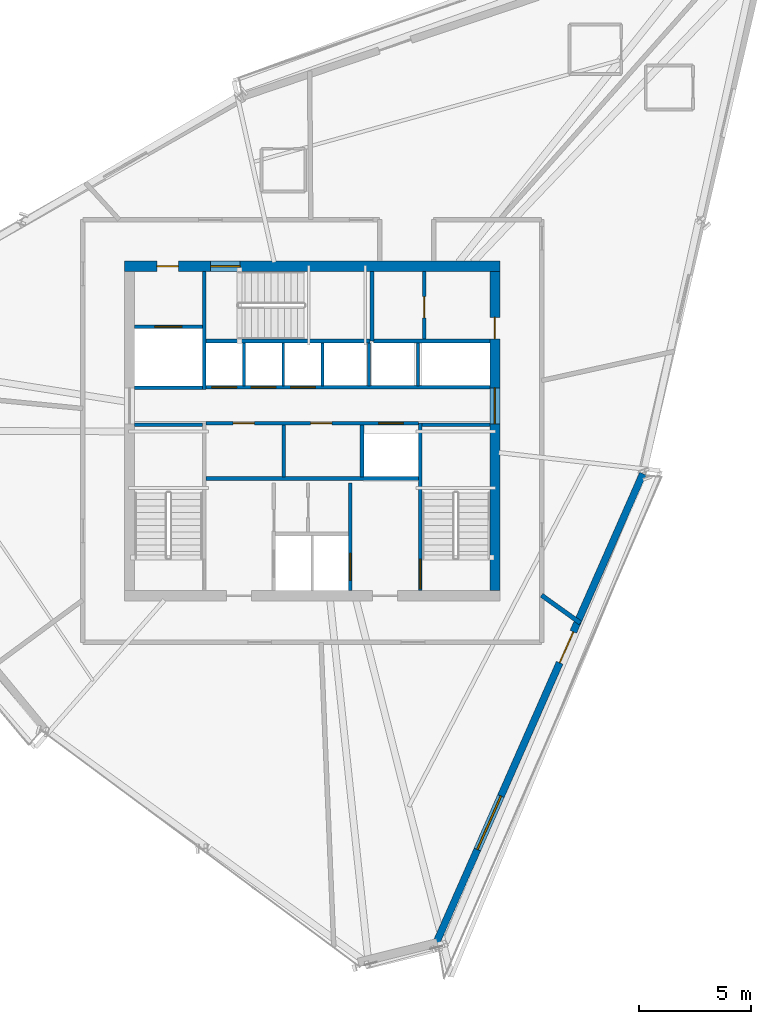
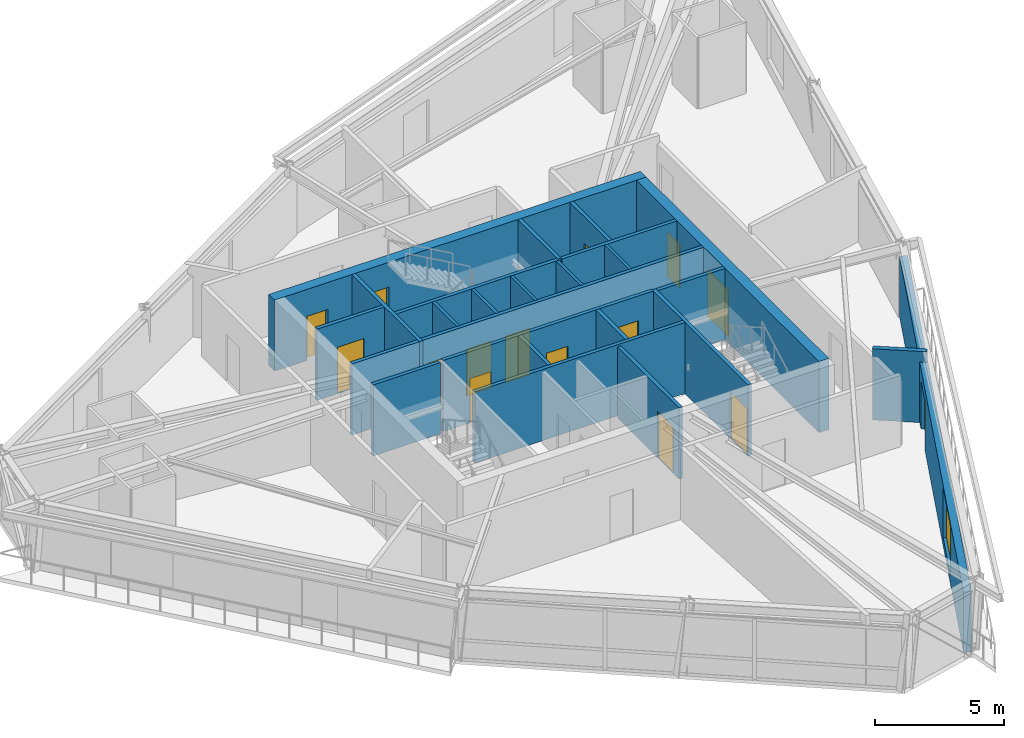
# One storey, part 9 of 14: 25 walls, 15 doors, 1 window, 16 openings.
"""IFC4 building model written with IfcOpenShell, lengths in metres."""

from ifc_helpers import new_model, si_unit, direction, frame, frame_2d, origin, place, context, subcontext, project, spatial, rectangle, extrude, source, transform, mapped, material, layer, layer_set, type_object, type_shapes, element, fill, save


model = new_model("IFC4")

# Units and contexts
model_context = context("Model", 3, precision=1e-05, world=origin(), true_north=direction((0.0, 1.0)))
body_context = subcontext(model_context, "Body", "Model", "MODEL_VIEW")
ifc_project = project(units=[si_unit("LENGTHUNIT", "METRE"), si_unit("AREAUNIT", "SQUARE_METRE"), si_unit("VOLUMEUNIT", "CUBIC_METRE"), si_unit("PLANEANGLEUNIT", "RADIAN"), si_unit("MASSUNIT", "GRAM", prefix="KILO")], contexts=[model_context])

# Site, building, storey
site_placement = place(None, origin())
site = spatial("IfcSite", under=ifc_project, at=site_placement, CompositionType="ELEMENT")
building_placement = place(site_placement, origin())
building = spatial("IfcBuilding", under=site, at=building_placement, Name="Olszyna Solenne Hotel", CompositionType="ELEMENT")
storey_placement = place(building_placement, frame((0.0, 0.0, 230.89990234375)))
storey = spatial("IfcBuildingStorey", under=building, at=storey_placement, Name="L61", CompositionType="ELEMENT", Elevation=230.89990234375)

# Wall, openings, doors
ifc_material_1 = material(Name="Concrete C50/60", Category="concrete")
ifc_layer_1 = layer(ifc_material_1, 0.449951171875, Name="Concrete C50/60")
ifc_layer_set_1 = layer_set([ifc_layer_1], Name="Concrete C50/60")
wall_type_1 = type_object("IfcWallType", Name="WL-CR450", PredefinedType="SHEAR", material=ifc_layer_set_1)
wall_1_placement = place(storey_placement, frame((29.64990234375, 33.925048828125, 0.0), z_axis=(0.0, 0.0, 1.0), x_axis=(1.0, 0.0, 0.0)))
wall_1 = element("IfcWall", 1, at=wall_1_placement, inside=storey, type_object=wall_type_1, Name="Core shear wall WL-CR450 CRW-L61-N", PredefinedType="SHEAR", context=body_context, shape_type="SweptSolid", body=[
    extrude(rectangle(XDim=16.7001953125, YDim=0.449951171875, at=frame_2d((8.35009765625, 0.0))), origin(), (0.0, 0.0, 1.0), 3.380126953125),
])
opening_1_placement = place(wall_1_placement, frame((1.449951171875, 0.0, 0.0)))
opening_1 = element("IfcOpeningElement", 2, at=opening_1_placement, cuts=wall_1, Name="Opening SVD-L61-01", PredefinedType="OPENING", context=body_context, shape_type="SweptSolid", body=[
    extrude(rectangle(XDim=0.949951171875, YDim=2.10009765625, at=frame_2d((0.47509765625, 1.050048828125))), frame((0.0, 0.23486328125, 0.0), z_axis=(0.0, -1.0, 0.0), x_axis=(1.0, 0.0, 0.0)), (0.0, 0.0, 1.0), 0.469970703125),
])
opening_2_placement = place(wall_1_placement, frame((3.830078125, 0.0, 0.0)))
opening_2 = element("IfcOpeningElement", 3, at=opening_2_placement, cuts=wall_1, Name="Opening STD-L61-03", PredefinedType="OPENING", context=body_context, shape_type="SweptSolid", body=[
    extrude(rectangle(XDim=1.320068359375, YDim=2.199951171875, at=frame_2d((0.66015625, 1.10009765625))), frame((0.0, 0.23486328125, 0.0), z_axis=(0.0, -1.0, 0.0), x_axis=(1.0, 0.0, 0.0)), (0.0, 0.0, 1.0), 0.469970703125),
])
ifc_material_2 = material(Name="Steel S355J2", Category="steel")
door_type_1 = type_object("IfcDoorType", Name="DR-ST1", OperationType="NOTDEFINED", PredefinedType="DOOR", material=ifc_material_2)
shared_shape_1 = source(origin(), body_context, "Body", "SweptSolid", [
    extrude(rectangle(XDim=1.320068359375, YDim=2.199951171875, at=frame_2d((0.66015625, 1.10009765625))), frame((0.0, 0.02490234375, 0.0), z_axis=(0.0, -1.0, 0.0), x_axis=(1.0, 0.0, 0.0)), (0.0, 0.0, 1.0), 0.050048828125),
])
type_shapes(door_type_1, [shared_shape_1])
door_1_placement = place(opening_2_placement, origin())
door_1 = element("IfcDoor", 4, at=door_1_placement, inside=storey, type_object=door_type_1, Name="Pressurised exit stair ST3 fire door STD-L61-03", OperationType="SINGLE_SWING_RIGHT", OverallHeight=2.199951171875, OverallWidth=1.320068359375, PredefinedType="DOOR", context=body_context, shape_type="MappedRepresentation", body=[
    mapped(shared_shape_1, transform((0.0, 0.0, 0.0), x_axis=(1.0, 0.0, 0.0), y_axis=(0.0, 1.0, 0.0), z_axis=(0.0, 0.0, 1.0), scale=1.0)),
])
fill(opening_2, door_1)
door_type_2 = type_object("IfcDoorType", Name="DR-SV1", OperationType="NOTDEFINED", PredefinedType="DOOR", material=ifc_material_2)
shared_shape_2 = source(origin(), body_context, "Body", "SweptSolid", [
    extrude(rectangle(XDim=0.949951171875, YDim=2.10009765625, at=frame_2d((0.47509765625, 1.050048828125))), frame((0.0, 0.02490234375, 0.0), z_axis=(0.0, -1.0, 0.0), x_axis=(1.0, 0.0, 0.0)), (0.0, 0.0, 1.0), 0.050048828125),
])
type_shapes(door_type_2, [shared_shape_2])
door_2_placement = place(opening_1_placement, origin())
door_2 = element("IfcDoor", 5, at=door_2_placement, inside=storey, type_object=door_type_2, Name="Service lift lobby fire door SVD-L61-01", OperationType="SINGLE_SWING_LEFT", OverallHeight=2.10009765625, OverallWidth=0.949951171875, PredefinedType="DOOR", context=body_context, shape_type="MappedRepresentation", body=[
    mapped(shared_shape_2, transform((0.0, 0.0, 0.0), x_axis=(1.0, 0.0, 0.0), y_axis=(0.0, 1.0, 0.0), z_axis=(0.0, 0.0, 1.0), scale=1.0)),
])
fill(opening_1, door_2)

wall_2_placement = place(storey_placement, frame((46.125, 33.699951171875, 0.0), z_axis=(0.0, 0.0, 1.0), x_axis=(0.0, -1.0, 0.0)))
wall_2 = element("IfcWall", 6, at=wall_2_placement, inside=storey, type_object=wall_type_1, Name="Core shear wall WL-CR450 CRW-L61-E", PredefinedType="SHEAR", context=body_context, shape_type="SweptSolid", body=[
    extrude(rectangle(XDim=14.199951171875, YDim=0.449951171875, at=frame_2d((7.10009765625, 0.0))), origin(), (0.0, 0.0, 1.0), 3.380126953125),
])
opening_3_placement = place(wall_2_placement, frame((5.179931640625, 0.0, 0.0)))
opening_3 = element("IfcOpeningElement", 7, at=opening_3_placement, cuts=wall_2, Name="Opening LHD-L61-E", PredefinedType="OPENING", context=body_context, shape_type="SweptSolid", body=[
    extrude(rectangle(XDim=1.60009765625, YDim=2.199951171875, at=frame_2d((0.800048828125, 1.10009765625))), frame((0.0, 0.23486328125, 0.0), z_axis=(0.0, -1.0, 0.0), x_axis=(1.0, 0.0, 0.0)), (0.0, 0.0, 1.0), 0.469970703125),
])
opening_4_placement = place(wall_2_placement, frame((2.050048828125, 0.0, 0.0)))
opening_4 = element("IfcOpeningElement", 8, at=opening_4_placement, cuts=wall_2, Name="Opening SVD-L61-BE", PredefinedType="OPENING", context=body_context, shape_type="SweptSolid", body=[
    extrude(rectangle(XDim=0.949951171875, YDim=2.10009765625, at=frame_2d((0.47509765625, 1.050048828125))), frame((0.0, 0.23486328125, 0.0), z_axis=(0.0, -1.0, 0.0), x_axis=(1.0, 0.0, 0.0)), (0.0, 0.0, 1.0), 0.469970703125),
])
door_3_placement = place(opening_4_placement, origin())
door_3 = element("IfcDoor", 9, at=door_3_placement, inside=storey, type_object=door_type_2, Name="Housekeeping core fire door SVD-L61-BE", OperationType="SINGLE_SWING_RIGHT", OverallHeight=2.10009765625, OverallWidth=0.949951171875, PredefinedType="DOOR", context=body_context, shape_type="MappedRepresentation", body=[
    mapped(shared_shape_2, transform((0.0, 0.0, 0.0), x_axis=(1.0, 0.0, 0.0), y_axis=(0.0, 1.0, 0.0), z_axis=(0.0, 0.0, 1.0), scale=1.0)),
])
fill(opening_4, door_3)
ifc_material_3 = material(Name="Timber hardwood", Category="wood")
door_type_3 = type_object("IfcDoorType", Name="DR-CR1", OperationType="DOUBLE_DOOR_SINGLE_SWING", PredefinedType="DOOR", material=ifc_material_3)
shared_shape_3 = source(origin(), body_context, "Body", "SweptSolid", [
    extrude(rectangle(XDim=1.60009765625, YDim=2.199951171875, at=frame_2d((0.800048828125, 1.10009765625))), frame((0.0, 0.02490234375, 0.0), z_axis=(0.0, -1.0, 0.0), x_axis=(1.0, 0.0, 0.0)), (0.0, 0.0, 1.0), 0.050048828125),
])
type_shapes(door_type_3, [shared_shape_3])
door_4_placement = place(opening_3_placement, origin())
door_4 = element("IfcDoor", 10, at=door_4_placement, inside=storey, type_object=door_type_3, Name="Passenger lift lobby East fire door LHD-L61-E", OperationType="DOUBLE_DOOR_SINGLE_SWING", OverallHeight=2.199951171875, OverallWidth=1.60009765625, PredefinedType="DOOR", context=body_context, shape_type="MappedRepresentation", body=[
    mapped(shared_shape_3, transform((0.0, 0.0, 0.0), x_axis=(1.0, 0.0, 0.0), y_axis=(0.0, 1.0, 0.0), z_axis=(0.0, 0.0, 1.0), scale=1.0)),
])
fill(opening_3, door_4)

# Wall, openings, door, window
ifc_material_4 = material(Name="Precast concrete C45/55", Category="concrete")
ifc_layer_2 = layer(ifc_material_4, 0.320068359375, Name="Precast concrete C45/55")
ifc_layer_set_2 = layer_set([ifc_layer_2], Name="Precast concrete C45/55")
wall_type_2 = type_object("IfcWallType", Name="WL-EX320", PredefinedType="SOLIDWALL", material=ifc_layer_set_2)
wall_3_placement = place(storey_placement, frame((52.70849609375, 24.701904296875, 0.0), z_axis=(0.0, 0.0, 1.0), x_axis=(-0.403169735339, -0.915125217938, 0.0)))
wall_3 = element("IfcWall", 11, at=wall_3_placement, inside=storey, type_object=wall_type_2, Name="Exterior terracotta-precast frame wall WL-EX320 EW-L61-01", PredefinedType="SOLIDWALL", context=body_context, shape_type="SweptSolid", body=[
    extrude(rectangle(XDim=22.922607421875, YDim=0.320068359375, at=frame_2d((11.46142578125, 0.0))), origin(), (0.0, 0.0, 1.0), 2.8720703125),
])
opening_5_placement = place(wall_3_placement, frame((7.68505859375, 0.0, 0.0)))
opening_5 = element("IfcOpeningElement", 12, at=opening_5_placement, cuts=wall_3, Name="Opening LDG-L61-3", PredefinedType="OPENING", context=body_context, shape_type="SweptSolid", body=[
    extrude(rectangle(XDim=1.5, YDim=2.300048828125, at=frame_2d((0.75, 1.14990234375))), frame((0.0, 0.169921875, 0.0), z_axis=(0.0, -1.0, 0.0), x_axis=(1.0, 0.0, 0.0)), (0.0, 0.0, 1.0), 0.340087890625),
])
opening_6_placement = place(wall_3_placement, frame((15.6630859375, 0.0, 0.402099609375)))
opening_6 = element("IfcOpeningElement", 13, at=opening_6_placement, cuts=wall_3, Name="Opening WN-L61-395", PredefinedType="OPENING", context=body_context, shape_type="SweptSolid", body=[
    extrude(rectangle(XDim=2.60009765625, YDim=2.35009765625, at=frame_2d((1.300048828125, 1.175048828125))), frame((0.0, 0.169921875, 0.0), z_axis=(0.0, -1.0, 0.0), x_axis=(1.0, 0.0, 0.0)), (0.0, 0.0, 1.0), 0.340087890625),
])
ifc_material_5 = material(Name="Anodised bronze aluminium", Category="aluminium")
door_type_4 = type_object("IfcDoorType", Name="DR-LG2", OperationType="DOUBLE_DOOR_SINGLE_SWING", PredefinedType="DOOR", material=ifc_material_5)
shared_shape_4 = source(origin(), body_context, "Body", "SweptSolid", [
    extrude(rectangle(XDim=1.5, YDim=2.300048828125, at=frame_2d((0.75, 1.14990234375))), frame((0.0, 0.02490234375, 0.0), z_axis=(0.0, -1.0, 0.0), x_axis=(1.0, 0.0, 0.0)), (0.0, 0.0, 1.0), 0.050048828125),
])
type_shapes(door_type_4, [shared_shape_4])
door_5_placement = place(opening_5_placement, origin())
door_5 = element("IfcDoor", 14, at=door_5_placement, inside=storey, type_object=door_type_4, Name="Exterior loggia balcony door DR-LG2 LDG-L61-3", OperationType="DOUBLE_DOOR_SINGLE_SWING", OverallHeight=2.300048828125, OverallWidth=1.5, PredefinedType="DOOR", context=body_context, shape_type="MappedRepresentation", body=[
    mapped(shared_shape_4, transform((0.0, 0.0, 0.0), x_axis=(1.0, 0.0, 0.0), y_axis=(0.0, 1.0, 0.0), z_axis=(0.0, 0.0, 1.0), scale=1.0)),
])
fill(opening_5, door_5)
ifc_material_6 = material(Name="Low-E triple glazing", Category="glass")
window_type = type_object("IfcWindowType", Name="WN-ST1", PartitioningType="SINGLE_PANEL", PredefinedType="WINDOW", material=ifc_material_6)
shared_shape_5 = source(origin(), body_context, "Body", "SweptSolid", [
    extrude(rectangle(XDim=2.60009765625, YDim=2.35009765625, at=frame_2d((1.300048828125, 1.175048828125))), frame((0.0, 0.030029296875, 0.0), z_axis=(0.0, -1.0, 0.0), x_axis=(1.0, 0.0, 0.0)), (0.0, 0.0, 1.0), 0.06005859375),
])
type_shapes(window_type, [shared_shape_5])
window_placement = place(opening_6_placement, origin())
window = element("IfcWindow", 15, at=window_placement, inside=storey, type_object=window_type, Name="Loggia room window WN-ST1 WN-L61-395", OverallHeight=2.35009765625, OverallWidth=2.60009765625, PartitioningType="SINGLE_PANEL", PredefinedType="WINDOW", context=body_context, shape_type="MappedRepresentation", body=[
    mapped(shared_shape_5, transform((0.0, 0.0, 0.0), x_axis=(1.0, 0.0, 0.0), y_axis=(0.0, 1.0, 0.0), z_axis=(0.0, 0.0, 1.0), scale=1.0)),
])
fill(opening_6, window)

# Walls
ifc_material_7 = material(Name="Acoustic gypsum partition", Category="gypsum")
ifc_layer_3 = layer(ifc_material_7, 0.125, Name="Acoustic gypsum partition")
ifc_layer_set_3 = layer_set([ifc_layer_3], Name="Acoustic gypsum partition")
wall_type_3 = type_object("IfcWallType", Name="WL-PT125", PredefinedType="PARTITIONING", material=ifc_layer_set_3)
for number, where, z_axis, x_axis, name in (
    (16, (34.965087890625, 28.60009765625, 0.0), (0.0, 0.0, 1.0), (0.0, 1.0, 0.0), "Core shaft compartment wall CW-L61-DIVN349"),
    (17, (36.715087890625, 28.60009765625, 0.0), (0.0, 0.0, 1.0), (0.0, 1.0, 0.0), "Core shaft compartment wall CW-L61-DIVN367"),
    (18, (38.465087890625, 28.60009765625, 0.0), (0.0, 0.0, 1.0), (0.0, 1.0, 0.0), "Core shaft compartment wall CW-L61-DIVN384"),
    (19, (40.52490234375, 28.60009765625, 0.0), (0.0, 0.0, 1.0), (0.0, 1.0, 0.0), "Core shaft compartment wall CW-L61-DIVEX405"),
    (20, (42.699951171875, 28.60009765625, 0.0), (0.0, 0.0, 1.0), (0.0, 1.0, 0.0), "Core shaft compartment wall CW-L61-DIVEX427"),
):
    element("IfcWall", number, at=place(storey_placement, frame(where, z_axis=z_axis, x_axis=x_axis)), inside=storey, type_object=wall_type_3, Name=name, PredefinedType="PARTITIONING", context=body_context, shape_type="SweptSolid", body=[
        extrude(rectangle(XDim=1.919921875, YDim=0.125, at=frame_2d((0.9599609375, 0.0))), origin(), (0.0, 0.0, 1.0), 3.380126953125),
    ])
ifc_layer_4 = layer(ifc_material_7, 0.159912109375, Name="Acoustic gypsum partition")
ifc_layer_set_4 = layer_set([ifc_layer_4], Name="Acoustic gypsum partition")
wall_type_4 = type_object("IfcWallType", Name="WL-PT160", PredefinedType="PARTITIONING", material=ifc_layer_set_4)
wall_4_placement = place(storey_placement, frame((30.10009765625, 26.8798828125, 0.0), z_axis=(0.0, 0.0, 1.0), x_axis=(1.0, 0.0, 0.0)))
element("IfcWall", 21, at=wall_4_placement, inside=storey, type_object=wall_type_4, Name="Core shaft compartment wall CW-L61-ST1N", PredefinedType="PARTITIONING", context=body_context, shape_type="SweptSolid", body=[
    extrude(rectangle(XDim=3.02001953125, YDim=0.159912109375, at=frame_2d((1.510009765625, 0.0))), origin(), (0.0, 0.0, 1.0), 3.380126953125),
])

# Wall, opening, door
wall_5_placement = place(storey_placement, frame((42.800048828125, 26.9599609375, 0.0), z_axis=(0.0, 0.0, 1.0), x_axis=(0.0, -1.0, 0.0)))
wall_5 = element("IfcWall", 22, at=wall_5_placement, inside=storey, type_object=wall_type_4, Name="Core shaft compartment wall CW-L61-ST2W", PredefinedType="PARTITIONING", context=body_context, shape_type="SweptSolid", body=[
    extrude(rectangle(XDim=7.4599609375, YDim=0.159912109375, at=frame_2d((3.72998046875, 0.0))), origin(), (0.0, 0.0, 1.0), 3.380126953125),
])
opening_7_placement = place(wall_5_placement, frame((6.06005859375, 0.0, 0.0)))
opening_7 = element("IfcOpeningElement", 23, at=opening_7_placement, cuts=wall_5, Name="Opening STD-L61-02", PredefinedType="OPENING", context=body_context, shape_type="SweptSolid", body=[
    extrude(rectangle(XDim=1.320068359375, YDim=2.199951171875, at=frame_2d((0.66015625, 1.10009765625))), frame((0.0, 0.08984375, 0.0), z_axis=(0.0, -1.0, 0.0), x_axis=(1.0, 0.0, 0.0)), (0.0, 0.0, 1.0), 0.179931640625),
])
door_6_placement = place(opening_7_placement, origin())
door_6 = element("IfcDoor", 24, at=door_6_placement, inside=storey, type_object=door_type_1, Name="Pressurised exit stair ST2 fire door STD-L61-02", OperationType="SINGLE_SWING_RIGHT", OverallHeight=2.199951171875, OverallWidth=1.320068359375, PredefinedType="DOOR", context=body_context, shape_type="MappedRepresentation", body=[
    mapped(shared_shape_1, transform((0.0, 0.0, 0.0), x_axis=(1.0, 0.0, 0.0), y_axis=(0.0, 1.0, 0.0), z_axis=(0.0, 0.0, 1.0), scale=1.0)),
])
fill(opening_7, door_6)

# Walls
wall_6_placement = place(storey_placement, frame((42.8798828125, 26.8798828125, 0.0), z_axis=(0.0, 0.0, 1.0), x_axis=(1.0, 0.0, 0.0)))
element("IfcWall", 25, at=wall_6_placement, inside=storey, type_object=wall_type_4, Name="Core shaft compartment wall CW-L61-ST2N", PredefinedType="PARTITIONING", context=body_context, shape_type="SweptSolid", body=[
    extrude(rectangle(XDim=3.02001953125, YDim=0.159912109375, at=frame_2d((1.510009765625, 0.0))), origin(), (0.0, 0.0, 1.0), 3.380126953125),
])
wall_7_placement = place(storey_placement, frame((33.280029296875, 30.60009765625, 0.0), z_axis=(0.0, 0.0, 1.0), x_axis=(1.0, 0.0, 0.0)))
element("IfcWall", 26, at=wall_7_placement, inside=storey, type_object=wall_type_4, Name="Core shaft compartment wall CW-L61-ST3S", PredefinedType="PARTITIONING", context=body_context, shape_type="SweptSolid", body=[
    extrude(rectangle(XDim=7.300048828125, YDim=0.159912109375, at=frame_2d((3.64990234375, 0.0))), origin(), (0.0, 0.0, 1.0), 3.380126953125),
])
wall_8_placement = place(storey_placement, frame((40.659912109375, 30.60009765625, 0.0), z_axis=(0.0, 0.0, 1.0), x_axis=(0.0, 1.0, 0.0)))
element("IfcWall", 27, at=wall_8_placement, inside=storey, type_object=wall_type_4, Name="Core shaft compartment wall CW-L61-ST3E", PredefinedType="PARTITIONING", context=body_context, shape_type="SweptSolid", body=[
    extrude(rectangle(XDim=3.099853515625, YDim=0.159912109375, at=frame_2d((1.5498046875, 0.0))), origin(), (0.0, 0.0, 1.0), 3.380126953125),
])

# Wall, opening, door
wall_9_placement = place(storey_placement, frame((39.699951171875, 24.280029296875, 0.0), z_axis=(0.0, 0.0, 1.0), x_axis=(0.0, -1.0, 0.0)))
wall_9 = element("IfcWall", 28, at=wall_9_placement, inside=storey, type_object=wall_type_4, Name="Core shaft compartment wall CW-L61-FF2E", PredefinedType="PARTITIONING", context=body_context, shape_type="SweptSolid", body=[
    extrude(rectangle(XDim=4.780029296875, YDim=0.159912109375, at=frame_2d((2.39013671875, 0.0))), origin(), (0.0, 0.0, 1.0), 3.380126953125),
])
opening_8_placement = place(wall_9_placement, frame((3.1201171875, 0.0, 0.0)))
opening_8 = element("IfcOpeningElement", 29, at=opening_8_placement, cuts=wall_9, Name="Opening LD-L61-FF2", PredefinedType="OPENING", context=body_context, shape_type="SweptSolid", body=[
    extrude(rectangle(XDim=1.199951171875, YDim=2.199951171875, at=frame_2d((0.60009765625, 1.10009765625))), frame((0.0, 0.08984375, 0.0), z_axis=(0.0, -1.0, 0.0), x_axis=(1.0, 0.0, 0.0)), (0.0, 0.0, 1.0), 0.179931640625),
])
door_type_5 = type_object("IfcDoorType", Name="LD-FF1", OperationType="DOUBLE_DOOR_SLIDING", PredefinedType="DOOR", material=ifc_material_2)
shared_shape_6 = source(origin(), body_context, "Body", "SweptSolid", [
    extrude(rectangle(XDim=1.199951171875, YDim=2.199951171875, at=frame_2d((0.60009765625, 1.10009765625))), frame((0.0, 0.02490234375, 0.0), z_axis=(0.0, -1.0, 0.0), x_axis=(1.0, 0.0, 0.0)), (0.0, 0.0, 1.0), 0.050048828125),
])
type_shapes(door_type_5, [shared_shape_6])
door_7_placement = place(opening_8_placement, origin())
door_7 = element("IfcDoor", 30, at=door_7_placement, inside=storey, type_object=door_type_5, Name="Firefighters lift FF2 sliding landing door LD-L61-FF2", OperationType="DOUBLE_DOOR_SLIDING", OverallHeight=2.199951171875, OverallWidth=1.199951171875, PredefinedType="DOOR", context=body_context, shape_type="MappedRepresentation", body=[
    mapped(shared_shape_6, transform((0.0, 0.0, 0.0), x_axis=(1.0, 0.0, 0.0), y_axis=(0.0, 1.0, 0.0), z_axis=(0.0, 0.0, 1.0), scale=1.0)),
])
fill(opening_8, door_7)

# Walls
wall_10_placement = place(storey_placement, frame((33.280029296875, 24.489990234375, 0.0), z_axis=(0.0, 0.0, 1.0), x_axis=(1.0, 0.0, 0.0)))
element("IfcWall", 31, at=wall_10_placement, inside=storey, type_object=wall_type_4, Name="Core shaft compartment wall CW-L61-FFBN", PredefinedType="PARTITIONING", context=body_context, shape_type="SweptSolid", body=[
    extrude(rectangle(XDim=9.43994140625, YDim=0.159912109375, at=frame_2d((4.719970703125, 0.0))), origin(), (0.0, 0.0, 1.0), 3.380126953125),
])
wall_11_placement = place(storey_placement, frame((30.10009765625, 28.52001953125, 0.0), z_axis=(0.0, 0.0, 1.0), x_axis=(1.0, 0.0, 0.0)))
element("IfcWall", 32, at=wall_11_placement, inside=storey, type_object=wall_type_4, Name="Core shaft compartment wall CW-L61-SV1S", PredefinedType="PARTITIONING", context=body_context, shape_type="SweptSolid", body=[
    extrude(rectangle(XDim=3.02001953125, YDim=0.159912109375, at=frame_2d((1.510009765625, 0.0))), origin(), (0.0, 0.0, 1.0), 3.380126953125),
])
wall_12_placement = place(storey_placement, frame((33.199951171875, 28.43994140625, 0.0), z_axis=(0.0, 0.0, 1.0), x_axis=(0.0, 1.0, 0.0)))
element("IfcWall", 33, at=wall_12_placement, inside=storey, type_object=wall_type_4, Name="Core shaft compartment wall CW-L61-SV1E", PredefinedType="PARTITIONING", context=body_context, shape_type="SweptSolid", body=[
    extrude(rectangle(XDim=5.260009765625, YDim=0.159912109375, at=frame_2d((2.6298828125, 0.0))), origin(), (0.0, 0.0, 1.0), 3.380126953125),
])

# Wall, opening, door
wall_13_placement = place(storey_placement, frame((30.10009765625, 31.239990234375, 0.0), z_axis=(0.0, 0.0, 1.0), x_axis=(1.0, 0.0, 0.0)))
wall_13 = element("IfcWall", 34, at=wall_13_placement, inside=storey, type_object=wall_type_4, Name="Core shaft compartment wall CW-L61-SV1N", PredefinedType="PARTITIONING", context=body_context, shape_type="SweptSolid", body=[
    extrude(rectangle(XDim=3.02001953125, YDim=0.159912109375, at=frame_2d((1.510009765625, 0.0))), origin(), (0.0, 0.0, 1.0), 3.380126953125),
])
opening_9_placement = place(wall_13_placement, frame((0.909912109375, 0.0, 0.0)))
opening_9 = element("IfcOpeningElement", 35, at=opening_9_placement, cuts=wall_13, Name="Opening LD-L61-SV1", PredefinedType="OPENING", context=body_context, shape_type="SweptSolid", body=[
    extrude(rectangle(XDim=1.199951171875, YDim=2.199951171875, at=frame_2d((0.60009765625, 1.10009765625))), frame((0.0, 0.08984375, 0.0), z_axis=(0.0, -1.0, 0.0), x_axis=(1.0, 0.0, 0.0)), (0.0, 0.0, 1.0), 0.179931640625),
])
door_8_placement = place(opening_9_placement, origin())
door_8 = element("IfcDoor", 36, at=door_8_placement, inside=storey, type_object=door_type_5, Name="Service lift SV1 sliding landing door LD-L61-SV1", OperationType="DOUBLE_DOOR_SLIDING", OverallHeight=2.199951171875, OverallWidth=1.199951171875, PredefinedType="DOOR", context=body_context, shape_type="MappedRepresentation", body=[
    mapped(shared_shape_6, transform((0.0, 0.0, 0.0), x_axis=(1.0, 0.0, 0.0), y_axis=(0.0, 1.0, 0.0), z_axis=(0.0, 0.0, 1.0), scale=1.0)),
])
fill(opening_9, door_8)

# Wall, openings, doors
wall_14_placement = place(storey_placement, frame((33.280029296875, 26.949951171875, 0.0), z_axis=(0.0, 0.0, 1.0), x_axis=(1.0, 0.0, 0.0)))
wall_14 = element("IfcWall", 37, at=wall_14_placement, inside=storey, type_object=wall_type_4, Name="Core shaft compartment wall CW-L61-LRS", PredefinedType="PARTITIONING", context=body_context, shape_type="SweptSolid", body=[
    extrude(rectangle(XDim=9.43994140625, YDim=0.159912109375, at=frame_2d((4.719970703125, 0.0))), origin(), (0.0, 0.0, 1.0), 3.380126953125),
])
opening_10_placement = place(wall_14_placement, frame((1.199951171875, 0.0, 0.0)))
opening_10 = element("IfcOpeningElement", 38, at=opening_10_placement, cuts=wall_14, Name="Opening SVD-L61-L71", PredefinedType="OPENING", context=body_context, shape_type="SweptSolid", body=[
    extrude(rectangle(XDim=0.949951171875, YDim=2.10009765625, at=frame_2d((0.47509765625, 1.050048828125))), frame((0.0, 0.08984375, 0.0), z_axis=(0.0, -1.0, 0.0), x_axis=(1.0, 0.0, 0.0)), (0.0, 0.0, 1.0), 0.179931640625),
])
opening_11_placement = place(wall_14_placement, frame((4.64990234375, 0.0, 0.0)))
opening_11 = element("IfcOpeningElement", 39, at=opening_11_placement, cuts=wall_14, Name="Opening SVD-L61-L72", PredefinedType="OPENING", context=body_context, shape_type="SweptSolid", body=[
    extrude(rectangle(XDim=0.949951171875, YDim=2.10009765625, at=frame_2d((0.47509765625, 1.050048828125))), frame((0.0, 0.08984375, 0.0), z_axis=(0.0, -1.0, 0.0), x_axis=(1.0, 0.0, 0.0)), (0.0, 0.0, 1.0), 0.179931640625),
])
opening_12_placement = place(wall_14_placement, frame((7.669921875, 0.0, 0.0)))
opening_12 = element("IfcOpeningElement", 40, at=opening_12_placement, cuts=wall_14, Name="Opening LD-L61-PL5", PredefinedType="OPENING", context=body_context, shape_type="SweptSolid", body=[
    extrude(rectangle(XDim=1.10009765625, YDim=2.199951171875, at=frame_2d((0.550048828125, 1.10009765625))), frame((0.0, 0.08984375, 0.0), z_axis=(0.0, -1.0, 0.0), x_axis=(1.0, 0.0, 0.0)), (0.0, 0.0, 1.0), 0.179931640625),
])
door_9_placement = place(opening_10_placement, origin())
door_9 = element("IfcDoor", 41, at=door_9_placement, inside=storey, type_object=door_type_2, Name="Recaptured core room fire door SVD-L61-L71", OperationType="SINGLE_SWING_LEFT", OverallHeight=2.10009765625, OverallWidth=0.949951171875, PredefinedType="DOOR", context=body_context, shape_type="MappedRepresentation", body=[
    mapped(shared_shape_2, transform((0.0, 0.0, 0.0), x_axis=(1.0, 0.0, 0.0), y_axis=(0.0, 1.0, 0.0), z_axis=(0.0, 0.0, 1.0), scale=1.0)),
])
fill(opening_10, door_9)
door_10_placement = place(opening_11_placement, origin())
door_10 = element("IfcDoor", 42, at=door_10_placement, inside=storey, type_object=door_type_2, Name="Recaptured core room fire door SVD-L61-L72", OperationType="SINGLE_SWING_RIGHT", OverallHeight=2.10009765625, OverallWidth=0.949951171875, PredefinedType="DOOR", context=body_context, shape_type="MappedRepresentation", body=[
    mapped(shared_shape_2, transform((0.0, 0.0, 0.0), x_axis=(1.0, 0.0, 0.0), y_axis=(0.0, 1.0, 0.0), z_axis=(0.0, 0.0, 1.0), scale=1.0)),
])
fill(opening_11, door_10)
door_type_6 = type_object("IfcDoorType", Name="LD-P1", OperationType="DOUBLE_DOOR_SLIDING", PredefinedType="DOOR", material=ifc_material_2)
shared_shape_7 = source(origin(), body_context, "Body", "SweptSolid", [
    extrude(rectangle(XDim=1.10009765625, YDim=2.199951171875, at=frame_2d((0.550048828125, 1.10009765625))), frame((0.0, 0.02490234375, 0.0), z_axis=(0.0, -1.0, 0.0), x_axis=(1.0, 0.0, 0.0)), (0.0, 0.0, 1.0), 0.050048828125),
])
type_shapes(door_type_6, [shared_shape_7])
door_11_placement = place(opening_12_placement, origin())
door_11 = element("IfcDoor", 43, at=door_11_placement, inside=storey, type_object=door_type_6, Name="Passenger lift PL5 sliding landing door LD-L61-PL5", OperationType="DOUBLE_DOOR_SLIDING", OverallHeight=2.199951171875, OverallWidth=1.10009765625, PredefinedType="DOOR", context=body_context, shape_type="MappedRepresentation", body=[
    mapped(shared_shape_7, transform((0.0, 0.0, 0.0), x_axis=(1.0, 0.0, 0.0), y_axis=(0.0, 1.0, 0.0), z_axis=(0.0, 0.0, 1.0), scale=1.0)),
])
fill(opening_12, door_11)

# Walls
for number, where, z_axis, x_axis, name in (
    (44, (36.72998046875, 24.56005859375, 0.0), (0.0, 0.0, 1.0), (0.0, 1.0, 0.0), "Core shaft compartment wall CW-L61-LV7DIV1"),
    (45, (40.215087890625, 24.56005859375, 0.0), (0.0, 0.0, 1.0), (0.0, 1.0, 0.0), "Core shaft compartment wall CW-L61-LV7DIV2"),
):
    element("IfcWall", number, at=place(storey_placement, frame(where, z_axis=z_axis, x_axis=x_axis)), inside=storey, type_object=wall_type_4, Name=name, PredefinedType="PARTITIONING", context=body_context, shape_type="SweptSolid", body=[
        extrude(rectangle(XDim=2.31005859375, YDim=0.159912109375, at=frame_2d((1.155029296875, 0.0))), origin(), (0.0, 0.0, 1.0), 3.380126953125),
    ])

# Wall, openings, doors
wall_15_placement = place(storey_placement, frame((33.280029296875, 28.5400390625, 0.0), z_axis=(0.0, 0.0, 1.0), x_axis=(1.0, 0.0, 0.0)))
wall_15 = element("IfcWall", 46, at=wall_15_placement, inside=storey, type_object=wall_type_4, Name="Core shaft compartment wall CW-L61-LRN", PredefinedType="PARTITIONING", context=body_context, shape_type="SweptSolid", body=[
    extrude(rectangle(XDim=12.619873046875, YDim=0.159912109375, at=frame_2d((6.31005859375, 0.0))), origin(), (0.0, 0.0, 1.0), 3.380126953125),
])
opening_13_placement = place(wall_15_placement, frame((0.260009765625, 0.0, 0.0)))
opening_13 = element("IfcOpeningElement", 47, at=opening_13_placement, cuts=wall_15, Name="Opening LD-L61-PL6", PredefinedType="OPENING", context=body_context, shape_type="SweptSolid", body=[
    extrude(rectangle(XDim=1.10009765625, YDim=2.199951171875, at=frame_2d((0.550048828125, 1.10009765625))), frame((0.0, 0.08984375, 0.0), z_axis=(0.0, -1.0, 0.0), x_axis=(1.0, 0.0, 0.0)), (0.0, 0.0, 1.0), 0.179931640625),
])
opening_14_placement = place(wall_15_placement, frame((2.010009765625, 0.0, 0.0)))
opening_14 = element("IfcOpeningElement", 48, at=opening_14_placement, cuts=wall_15, Name="Opening LD-L61-PL7", PredefinedType="OPENING", context=body_context, shape_type="SweptSolid", body=[
    extrude(rectangle(XDim=1.10009765625, YDim=2.199951171875, at=frame_2d((0.550048828125, 1.10009765625))), frame((0.0, 0.08984375, 0.0), z_axis=(0.0, -1.0, 0.0), x_axis=(1.0, 0.0, 0.0)), (0.0, 0.0, 1.0), 0.179931640625),
])
opening_15_placement = place(wall_15_placement, frame((3.760009765625, 0.0, 0.0)))
opening_15 = element("IfcOpeningElement", 49, at=opening_15_placement, cuts=wall_15, Name="Opening LD-L61-PL8", PredefinedType="OPENING", context=body_context, shape_type="SweptSolid", body=[
    extrude(rectangle(XDim=1.10009765625, YDim=2.199951171875, at=frame_2d((0.550048828125, 1.10009765625))), frame((0.0, 0.08984375, 0.0), z_axis=(0.0, -1.0, 0.0), x_axis=(1.0, 0.0, 0.0)), (0.0, 0.0, 1.0), 0.179931640625),
])
door_12_placement = place(opening_13_placement, origin())
door_12 = element("IfcDoor", 50, at=door_12_placement, inside=storey, type_object=door_type_6, Name="Passenger lift PL6 sliding landing door LD-L61-PL6", OperationType="DOUBLE_DOOR_SLIDING", OverallHeight=2.199951171875, OverallWidth=1.10009765625, PredefinedType="DOOR", context=body_context, shape_type="MappedRepresentation", body=[
    mapped(shared_shape_7, transform((0.0, 0.0, 0.0), x_axis=(1.0, 0.0, 0.0), y_axis=(0.0, 1.0, 0.0), z_axis=(0.0, 0.0, 1.0), scale=1.0)),
])
fill(opening_13, door_12)
door_13_placement = place(opening_14_placement, origin())
door_13 = element("IfcDoor", 51, at=door_13_placement, inside=storey, type_object=door_type_6, Name="Passenger lift PL7 sliding landing door LD-L61-PL7", OperationType="DOUBLE_DOOR_SLIDING", OverallHeight=2.199951171875, OverallWidth=1.10009765625, PredefinedType="DOOR", context=body_context, shape_type="MappedRepresentation", body=[
    mapped(shared_shape_7, transform((0.0, 0.0, 0.0), x_axis=(1.0, 0.0, 0.0), y_axis=(0.0, 1.0, 0.0), z_axis=(0.0, 0.0, 1.0), scale=1.0)),
])
fill(opening_14, door_13)
door_14_placement = place(opening_15_placement, origin())
door_14 = element("IfcDoor", 52, at=door_14_placement, inside=storey, type_object=door_type_6, Name="Passenger lift PL8 sliding landing door LD-L61-PL8", OperationType="DOUBLE_DOOR_SLIDING", OverallHeight=2.199951171875, OverallWidth=1.10009765625, PredefinedType="DOOR", context=body_context, shape_type="MappedRepresentation", body=[
    mapped(shared_shape_7, transform((0.0, 0.0, 0.0), x_axis=(1.0, 0.0, 0.0), y_axis=(0.0, 1.0, 0.0), z_axis=(0.0, 0.0, 1.0), scale=1.0)),
])
fill(opening_15, door_14)

# Wall
wall_16_placement = place(storey_placement, frame((40.719970703125, 30.60009765625, 0.0), z_axis=(0.0, 0.0, 1.0), x_axis=(1.0, 0.0, 0.0)))
element("IfcWall", 53, at=wall_16_placement, inside=storey, type_object=wall_type_4, Name="Core shaft compartment wall CW-L61-LRNTOP", PredefinedType="PARTITIONING", context=body_context, shape_type="SweptSolid", body=[
    extrude(rectangle(XDim=5.179931640625, YDim=0.159912109375, at=frame_2d((2.58984375, 0.0))), origin(), (0.0, 0.0, 1.0), 3.380126953125),
])

# Wall, opening, door
wall_17_placement = place(storey_placement, frame((42.989990234375, 30.679931640625, 0.0), z_axis=(0.0, 0.0, 1.0), x_axis=(0.0, 1.0, 0.0)))
wall_17 = element("IfcWall", 54, at=wall_17_placement, inside=storey, type_object=wall_type_4, Name="Core shaft compartment wall CW-L61-BOH1", PredefinedType="PARTITIONING", context=body_context, shape_type="SweptSolid", body=[
    extrude(rectangle(XDim=3.02001953125, YDim=0.159912109375, at=frame_2d((1.510009765625, 0.0))), origin(), (0.0, 0.0, 1.0), 3.380126953125),
])
opening_16_placement = place(wall_17_placement, frame((0.949951171875, 0.0, 0.0)))
opening_16 = element("IfcOpeningElement", 55, at=opening_16_placement, cuts=wall_17, Name="Opening SVD-L61-BI1", PredefinedType="OPENING", context=body_context, shape_type="SweptSolid", body=[
    extrude(rectangle(XDim=0.949951171875, YDim=2.10009765625, at=frame_2d((0.47509765625, 1.050048828125))), frame((0.0, 0.08984375, 0.0), z_axis=(0.0, -1.0, 0.0), x_axis=(1.0, 0.0, 0.0)), (0.0, 0.0, 1.0), 0.179931640625),
])
door_15_placement = place(opening_16_placement, origin())
door_15 = element("IfcDoor", 56, at=door_15_placement, inside=storey, type_object=door_type_2, Name="BOH inter-room fire door SVD-L61-BI1", OperationType="SINGLE_SWING_LEFT", OverallHeight=2.10009765625, OverallWidth=0.949951171875, PredefinedType="DOOR", context=body_context, shape_type="MappedRepresentation", body=[
    mapped(shared_shape_2, transform((0.0, 0.0, 0.0), x_axis=(1.0, 0.0, 0.0), y_axis=(0.0, 1.0, 0.0), z_axis=(0.0, 0.0, 1.0), scale=1.0)),
])
fill(opening_16, door_15)

# Wall
ifc_layer_5 = layer(ifc_material_7, 0.199951171875, Name="Acoustic gypsum partition")
ifc_layer_set_5 = layer_set([ifc_layer_5], Name="Acoustic gypsum partition")
wall_type_5 = type_object("IfcWallType", Name="WL-PT200", PredefinedType="PARTITIONING", material=ifc_layer_set_5)
wall_18_placement = place(storey_placement, frame((48.199951171875, 19.297607421875, 0.0), z_axis=(0.0, 0.0, 1.0), x_axis=(0.813072174006, -0.582162898043, 0.0)))
element("IfcWall", 57, at=wall_18_placement, inside=storey, type_object=wall_type_5, Name="Interior acoustic partition WL-PT200 PW-L61-3371", PredefinedType="PARTITIONING", context=body_context, shape_type="SweptSolid", body=[
    extrude(rectangle(XDim=2.1220703125, YDim=0.199951171875, at=frame_2d((1.06103515625, 0.0))), origin(), (0.0, 0.0, 1.0), 3.380126953125),
])

save(model, "model.ifc")
